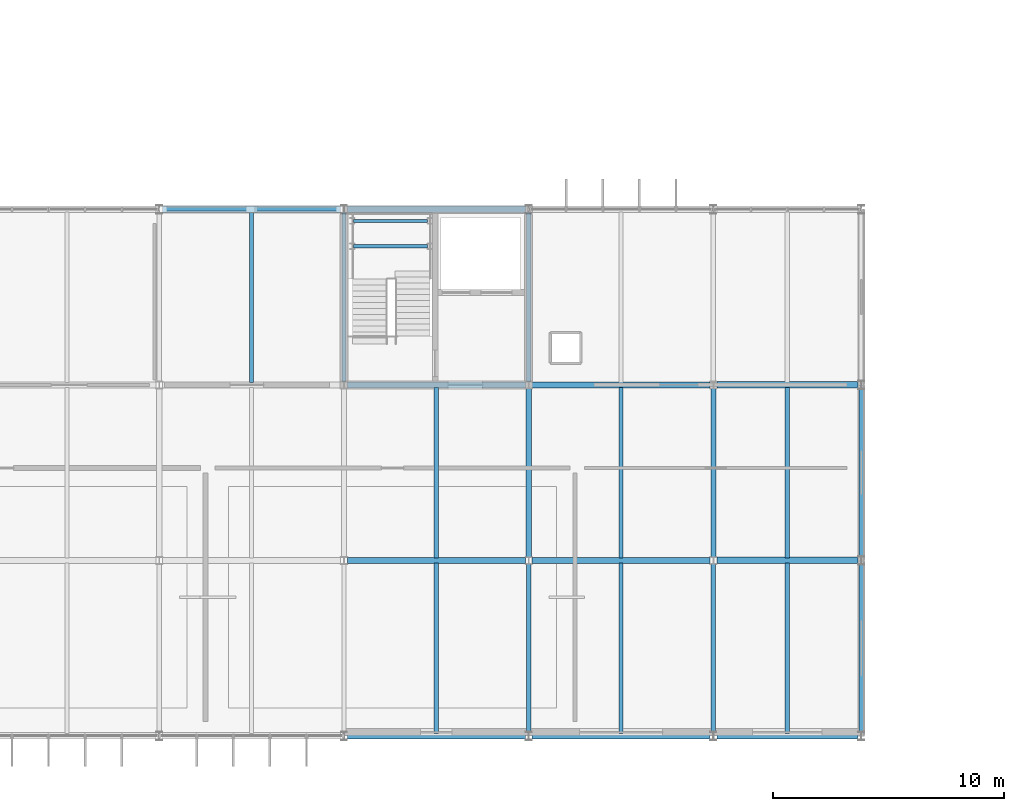
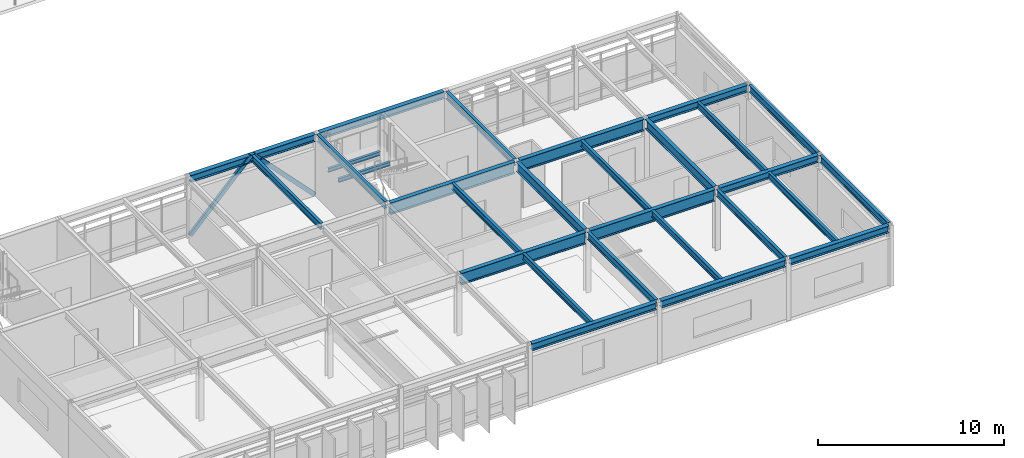
# One storey, part 10 of 21: 28 beams, 2 members.
"""IFC4 building model written with IfcOpenShell, lengths in metres."""

from ifc_helpers import new_model, si_unit, direction, frame, origin, origin_2d, place, context, subcontext, project, spatial, hollow_rectangle, i_section, extrude, material, material_profile, profile_set, type_object, element, save


model = new_model("IFC4")

# Units and contexts
model_context = context("Model", 3, precision=1e-05, world=origin(), true_north=direction((0.0, 1.0)))
body_context = subcontext(model_context, "Body", "Model", "MODEL_VIEW")
ifc_project = project(units=[si_unit("LENGTHUNIT", "METRE"), si_unit("AREAUNIT", "SQUARE_METRE"), si_unit("VOLUMEUNIT", "CUBIC_METRE"), si_unit("PLANEANGLEUNIT", "RADIAN"), si_unit("MASSUNIT", "GRAM", prefix="KILO")], contexts=[model_context])

# Site, building, storey
site_placement = place(None, origin())
site = spatial("IfcSite", under=ifc_project, at=site_placement, CompositionType="ELEMENT")
building_placement = place(site_placement, origin())
building = spatial("IfcBuilding", under=site, at=building_placement, Name="Zulena Civic Courthouse", CompositionType="ELEMENT")
storey_placement = place(building_placement, frame((0.0, 0.0, 37.800048828125)))
storey = spatial("IfcBuildingStorey", under=building, at=storey_placement, Name="L08", CompositionType="ELEMENT", Elevation=37.800048828125)

# Members
ifc_material_1 = material(Name="Steel ASTM A500 Grade C", Category="steel")
ifc_material_profile_1 = material_profile(ifc_material_1, hollow_rectangle(XDim=0.152099609375, YDim=0.25390625, WallThickness=0.0087890625, at=origin_2d()), Name="HSS10X6X3/8")
ifc_profile_set_1 = profile_set([ifc_material_profile_1], Name="Steel ASTM A500 Grade C")
member_type = type_object("IfcMemberType", Name="Brace_HSS10X6", PredefinedType="BRACE", material=ifc_profile_set_1)
for number, where, z_axis, x_axis, name in (
    (1, (36.14990234375, 22.800048828125, 0.010009765625), (0.693300076266, 0.0, 0.720649015992), (0.0, 1.0, 0.0), "brace:V2:L08:1:0"),
    (2, (43.85009765625, 22.800048828125, 0.010009765625), (-0.693300076266, 0.0, 0.720649015992), (0.0, -1.0, 0.0), "brace:V2:L08:1:1"),
):
    element("IfcMember", number, at=place(storey_placement, frame(where, z_axis=z_axis, x_axis=x_axis)), inside=storey, type_object=member_type, Name=name, PredefinedType="BRACE", context=body_context, shape_type="SweptSolid", body=[
        extrude(hollow_rectangle(XDim=0.152099609375, YDim=0.25390625, WallThickness=0.0087890625, at=origin_2d()), origin(), (0.0, 0.0, 1.0), 5.481201171875),
    ])

# Beams
ifc_material_2 = material(Name="Steel ASTM A992 Grade 50", Category="steel")
ifc_material_profile_2 = material_profile(ifc_material_2, i_section(OverallWidth=0.22998046875, OverallDepth=0.616943359375, WebThickness=0.01318359375, FlangeThickness=0.022216796875, FilletRadius=0.0126953125, at=origin_2d()), Name="W24X94")
ifc_profile_set_2 = profile_set([ifc_material_profile_2], Name="Steel ASTM A992 Grade 50")
beam_type_1 = type_object("IfcBeamType", Name="Girder_W24X94", PredefinedType="BEAM", material=ifc_profile_set_2)
for number, where, z_axis, x_axis, name in (
    (3, (52.0, 7.7451171875, 3.69140625), (0.0, 1.0, 0.0), (-1.0, 0.0, 0.0), "beam:Y:V2:L08:52.0:7.6_15.2"),
    (4, (60.0, 7.7451171875, 3.69140625), (0.0, 1.0, 0.0), (-1.0, 0.0, 0.0), "beam:Y:V2:L08:60.0:7.6_15.2"),
):
    element("IfcBeam", number, at=place(storey_placement, frame(where, z_axis=z_axis, x_axis=x_axis)), inside=storey, type_object=beam_type_1, Name=name, PredefinedType="BEAM", context=body_context, shape_type="SweptSolid", body=[
        extrude(i_section(OverallWidth=0.22998046875, OverallDepth=0.616943359375, WebThickness=0.01318359375, FlangeThickness=0.022216796875, FilletRadius=0.0126953125, at=origin_2d()), origin(), (0.0, 0.0, 1.0), 7.309814453125),
    ])
ifc_material_profile_3 = material_profile(ifc_material_2, i_section(OverallWidth=0.26708984375, OverallDepth=0.761962890625, WebThickness=0.014404296875, FlangeThickness=0.021484375, FilletRadius=0.0166015625, at=origin_2d()), Name="W30X116")
ifc_profile_set_3 = profile_set([ifc_material_profile_3], Name="Steel ASTM A992 Grade 50")
beam_type_2 = type_object("IfcBeamType", Name="Girder_W30X116", PredefinedType="BEAM", material=ifc_profile_set_3)
for number, where, z_axis, x_axis, name in (
    (5, (44.14501953125, 7.60009765625, 3.618896484375), (1.0, 0.0, 0.0), (0.0, 1.0, 0.0), "beam:X:V2:L08:7.6:44.0_52.0"),
    (6, (52.14501953125, 7.60009765625, 3.618896484375), (1.0, 0.0, 0.0), (0.0, 1.0, 0.0), "beam:X:V2:L08:7.6:52.0_60.0"),
    (7, (44.14501953125, 15.199951171875, 3.618896484375), (1.0, 0.0, 0.0), (0.0, 1.0, 0.0), "beam:X:V2:L08:15.2:44.0_52.0"),
    (8, (52.14501953125, 15.199951171875, 3.618896484375), (1.0, 0.0, 0.0), (0.0, 1.0, 0.0), "beam:X:V2:L08:15.2:52.0_60.0"),
):
    element("IfcBeam", number, at=place(storey_placement, frame(where, z_axis=z_axis, x_axis=x_axis)), inside=storey, type_object=beam_type_2, Name=name, PredefinedType="BEAM", context=body_context, shape_type="SweptSolid", body=[
        extrude(i_section(OverallWidth=0.26708984375, OverallDepth=0.761962890625, WebThickness=0.014404296875, FlangeThickness=0.021484375, FilletRadius=0.0166015625, at=origin_2d()), origin(), (0.0, 0.0, 1.0), 7.7099609375),
    ])
ifc_material_profile_4 = material_profile(ifc_material_2, i_section(OverallWidth=0.14599609375, OverallDepth=0.258056640625, WebThickness=0.006103515625, FlangeThickness=0.009033203125, FilletRadius=0.007568359375, at=origin_2d()), Name="W10X22")
ifc_profile_set_4 = profile_set([ifc_material_profile_4], Name="Steel ASTM A992 Grade 50")
beam_type_3 = type_object("IfcBeamType", Name="Joist_W10X22", PredefinedType="JOIST", material=ifc_profile_set_4)
for number, where, z_axis, x_axis, name in (
    (9, (44.419921875, 21.199951171875, 1.69091796875), (1.0, 0.0, 0.0), (0.0, 1.0, 0.0), "beam:lnd:K2B:L08:0"),
    (10, (44.419921875, 22.300048828125, 1.69091796875), (1.0, 0.0, 0.0), (0.0, 1.0, 0.0), "beam:lnd:K2B:L08:1"),
):
    element("IfcBeam", number, at=place(storey_placement, frame(where, z_axis=z_axis, x_axis=x_axis)), inside=storey, type_object=beam_type_3, Name=name, PredefinedType="JOIST", context=body_context, shape_type="SweptSolid", body=[
        extrude(i_section(OverallWidth=0.14599609375, OverallDepth=0.258056640625, WebThickness=0.006103515625, FlangeThickness=0.009033203125, FilletRadius=0.007568359375, at=origin_2d()), origin(), (0.0, 0.0, 1.0), 3.2001953125),
    ])
ifc_material_profile_5 = material_profile(ifc_material_2, i_section(OverallWidth=0.180908203125, OverallDepth=0.4169921875, WebThickness=0.010986328125, FlangeThickness=0.018310546875, FilletRadius=0.01025390625, at=origin_2d()), Name="W16X57")
ifc_profile_set_5 = profile_set([ifc_material_profile_5], Name="Steel ASTM A992 Grade 50")
beam_type_4 = type_object("IfcBeamType", Name="Joist_W16X57", PredefinedType="JOIST", material=ifc_profile_set_5)
for number, where, z_axis, x_axis, name in (
    (11, (40.0, 15.304931640625, 3.79150390625), (0.0, 1.0, 0.0), (-1.0, 0.0, 0.0), "joist:V2:L08:40.00:15.2_22.8"),
    (12, (48.0, 0.10498046875, 3.79150390625), (0.0, 1.0, 0.0), (-1.0, 0.0, 0.0), "joist:V2:L08:48.00:0.0_7.6"),
):
    element("IfcBeam", number, at=place(storey_placement, frame(where, z_axis=z_axis, x_axis=x_axis)), inside=storey, type_object=beam_type_4, Name=name, PredefinedType="JOIST", context=body_context, shape_type="SweptSolid", body=[
        extrude(i_section(OverallWidth=0.180908203125, OverallDepth=0.4169921875, WebThickness=0.010986328125, FlangeThickness=0.018310546875, FilletRadius=0.01025390625, at=origin_2d()), origin(), (0.0, 0.0, 1.0), 7.39013671875),
    ])
beam_1_placement = place(storey_placement, frame((48.0, 7.705078125, 3.79150390625), z_axis=(0.0, 1.0, 0.0), x_axis=(-1.0, 0.0, 0.0)))
element("IfcBeam", 13, at=beam_1_placement, inside=storey, type_object=beam_type_4, Name="joist:V2:L08:48.00:7.6_15.2", PredefinedType="JOIST", context=body_context, shape_type="SweptSolid", body=[
    extrude(i_section(OverallWidth=0.180908203125, OverallDepth=0.4169921875, WebThickness=0.010986328125, FlangeThickness=0.018310546875, FilletRadius=0.01025390625, at=origin_2d()), origin(), (0.0, 0.0, 1.0), 7.389892578125),
])
beam_2_placement = place(storey_placement, frame((56.0, 0.10498046875, 3.79150390625), z_axis=(0.0, 1.0, 0.0), x_axis=(-1.0, 0.0, 0.0)))
element("IfcBeam", 14, at=beam_2_placement, inside=storey, type_object=beam_type_4, Name="joist:V2:L08:56.00:0.0_7.6", PredefinedType="JOIST", context=body_context, shape_type="SweptSolid", body=[
    extrude(i_section(OverallWidth=0.180908203125, OverallDepth=0.4169921875, WebThickness=0.010986328125, FlangeThickness=0.018310546875, FilletRadius=0.01025390625, at=origin_2d()), origin(), (0.0, 0.0, 1.0), 7.39013671875),
])
beam_3_placement = place(storey_placement, frame((56.0, 7.705078125, 3.79150390625), z_axis=(0.0, 1.0, 0.0), x_axis=(-1.0, 0.0, 0.0)))
element("IfcBeam", 15, at=beam_3_placement, inside=storey, type_object=beam_type_4, Name="joist:V2:L08:56.00:7.6_15.2", PredefinedType="JOIST", context=body_context, shape_type="SweptSolid", body=[
    extrude(i_section(OverallWidth=0.180908203125, OverallDepth=0.4169921875, WebThickness=0.010986328125, FlangeThickness=0.018310546875, FilletRadius=0.01025390625, at=origin_2d()), origin(), (0.0, 0.0, 1.0), 7.389892578125),
])
beam_4_placement = place(storey_placement, frame((63.199951171875, 0.10498046875, 3.79150390625), z_axis=(0.0, 1.0, 0.0), x_axis=(-1.0, 0.0, 0.0)))
element("IfcBeam", 16, at=beam_4_placement, inside=storey, type_object=beam_type_4, Name="joist:V2:L08:63.20:0.0_7.6", PredefinedType="JOIST", context=body_context, shape_type="SweptSolid", body=[
    extrude(i_section(OverallWidth=0.180908203125, OverallDepth=0.4169921875, WebThickness=0.010986328125, FlangeThickness=0.018310546875, FilletRadius=0.01025390625, at=origin_2d()), origin(), (0.0, 0.0, 1.0), 7.39013671875),
])
beam_5_placement = place(storey_placement, frame((63.199951171875, 7.705078125, 3.79150390625), z_axis=(0.0, 1.0, 0.0), x_axis=(-1.0, 0.0, 0.0)))
element("IfcBeam", 17, at=beam_5_placement, inside=storey, type_object=beam_type_4, Name="joist:V2:L08:63.20:7.6_15.2", PredefinedType="JOIST", context=body_context, shape_type="SweptSolid", body=[
    extrude(i_section(OverallWidth=0.180908203125, OverallDepth=0.4169921875, WebThickness=0.010986328125, FlangeThickness=0.018310546875, FilletRadius=0.01025390625, at=origin_2d()), origin(), (0.0, 0.0, 1.0), 7.389892578125),
])
ifc_material_profile_6 = material_profile(ifc_material_2, i_section(OverallWidth=0.19091796875, OverallDepth=0.4599609375, WebThickness=0.010009765625, FlangeThickness=0.01611328125, FilletRadius=0.01025390625, at=origin_2d()), Name="W18X55")
ifc_profile_set_6 = profile_set([ifc_material_profile_6], Name="Steel ASTM A992 Grade 50")
beam_type_5 = type_object("IfcBeamType", Name="Spandrel_W18X55", PredefinedType="SPANDREL", material=ifc_profile_set_6)
for number, where, z_axis, x_axis, name in (
    (18, (44.0, 15.344970703125, 3.77001953125), (0.0, 1.0, 0.0), (-1.0, 0.0, 0.0), "beam:Y:V2:L08:44.0:15.2_22.8"),
    (19, (52.0, 0.14501953125, 3.77001953125), (0.0, 1.0, 0.0), (-1.0, 0.0, 0.0), "beam:Y:V2:L08:52.0:0.0_7.6"),
    (20, (52.0, 15.344970703125, 3.77001953125), (0.0, 1.0, 0.0), (-1.0, 0.0, 0.0), "beam:Y:V2:L08:52.0:15.2_22.8"),
    (21, (60.0, 0.14501953125, 3.77001953125), (0.0, 1.0, 0.0), (-1.0, 0.0, 0.0), "beam:Y:V2:L08:60.0:0.0_7.6"),
    (22, (66.39990234375, 0.14501953125, 3.77001953125), (0.0, 1.0, 0.0), (-1.0, 0.0, 0.0), "beam:Y:V2:L08:66.4:0.0_7.6"),
):
    element("IfcBeam", number, at=place(storey_placement, frame(where, z_axis=z_axis, x_axis=x_axis)), inside=storey, type_object=beam_type_5, Name=name, PredefinedType="SPANDREL", context=body_context, shape_type="SweptSolid", body=[
        extrude(i_section(OverallWidth=0.19091796875, OverallDepth=0.4599609375, WebThickness=0.010009765625, FlangeThickness=0.01611328125, FilletRadius=0.01025390625, at=origin_2d()), origin(), (0.0, 0.0, 1.0), 7.31005859375),
    ])
beam_6_placement = place(storey_placement, frame((66.39990234375, 7.7451171875, 3.77001953125), z_axis=(0.0, 1.0, 0.0), x_axis=(-1.0, 0.0, 0.0)))
element("IfcBeam", 23, at=beam_6_placement, inside=storey, type_object=beam_type_5, Name="beam:Y:V2:L08:66.4:7.6_15.2", PredefinedType="SPANDREL", context=body_context, shape_type="SweptSolid", body=[
    extrude(i_section(OverallWidth=0.19091796875, OverallDepth=0.4599609375, WebThickness=0.010009765625, FlangeThickness=0.01611328125, FilletRadius=0.01025390625, at=origin_2d()), origin(), (0.0, 0.0, 1.0), 7.309814453125),
])
ifc_material_profile_7 = material_profile(ifc_material_2, i_section(OverallWidth=0.280029296875, OverallDepth=0.462890625, WebThickness=0.0107421875, FlangeThickness=0.017333984375, FilletRadius=0.01025390625, at=origin_2d()), Name="W18X76")
ifc_profile_set_7 = profile_set([ifc_material_profile_7], Name="Steel ASTM A992 Grade 50")
beam_type_6 = type_object("IfcBeamType", Name="Spandrel_W18X76", PredefinedType="SPANDREL", material=ifc_profile_set_7)
for number, where, z_axis, x_axis, name in (
    (24, (44.14501953125, 0.0, 3.7685546875), (1.0, 0.0, 0.0), (0.0, 1.0, 0.0), "beam:X:V2:L08:0.0:44.0_52.0"),
    (25, (52.14501953125, 0.0, 3.7685546875), (1.0, 0.0, 0.0), (0.0, 1.0, 0.0), "beam:X:V2:L08:0.0:52.0_60.0"),
):
    element("IfcBeam", number, at=place(storey_placement, frame(where, z_axis=z_axis, x_axis=x_axis)), inside=storey, type_object=beam_type_6, Name=name, PredefinedType="SPANDREL", context=body_context, shape_type="SweptSolid", body=[
        extrude(i_section(OverallWidth=0.280029296875, OverallDepth=0.462890625, WebThickness=0.0107421875, FlangeThickness=0.017333984375, FilletRadius=0.01025390625, at=origin_2d()), origin(), (0.0, 0.0, 1.0), 7.7099609375),
    ])
for number, where, z_axis, x_axis, name in (
    (26, (60.14501953125, 0.0, 3.7685546875), (1.0, 0.0, 0.0), (0.0, 1.0, 0.0), "beam:X:V2:L08:0.0:60.0_66.4"),
    (27, (60.14501953125, 7.60009765625, 3.7685546875), (1.0, 0.0, 0.0), (0.0, 1.0, 0.0), "beam:X:V2:L08:7.6:60.0_66.4"),
    (28, (60.14501953125, 15.199951171875, 3.7685546875), (1.0, 0.0, 0.0), (0.0, 1.0, 0.0), "beam:X:V2:L08:15.2:60.0_66.4"),
):
    element("IfcBeam", number, at=place(storey_placement, frame(where, z_axis=z_axis, x_axis=x_axis)), inside=storey, type_object=beam_type_6, Name=name, PredefinedType="SPANDREL", context=body_context, shape_type="SweptSolid", body=[
        extrude(i_section(OverallWidth=0.280029296875, OverallDepth=0.462890625, WebThickness=0.0107421875, FlangeThickness=0.017333984375, FilletRadius=0.01025390625, at=origin_2d()), origin(), (0.0, 0.0, 1.0), 6.10986328125),
    ])
for number, where, z_axis, x_axis, name in (
    (29, (36.14501953125, 22.800048828125, 3.7685546875), (1.0, 0.0, 0.0), (0.0, 1.0, 0.0), "beam:X:V2:L08:22.8:36.0_44.0"),
    (30, (44.14501953125, 22.800048828125, 3.7685546875), (1.0, 0.0, 0.0), (0.0, 1.0, 0.0), "beam:X:V2:L08:22.8:44.0_52.0"),
):
    element("IfcBeam", number, at=place(storey_placement, frame(where, z_axis=z_axis, x_axis=x_axis)), inside=storey, type_object=beam_type_6, Name=name, PredefinedType="SPANDREL", context=body_context, shape_type="SweptSolid", body=[
        extrude(i_section(OverallWidth=0.280029296875, OverallDepth=0.462890625, WebThickness=0.0107421875, FlangeThickness=0.017333984375, FilletRadius=0.01025390625, at=origin_2d()), origin(), (0.0, 0.0, 1.0), 7.7099609375),
    ])

save(model, "model.ifc")
